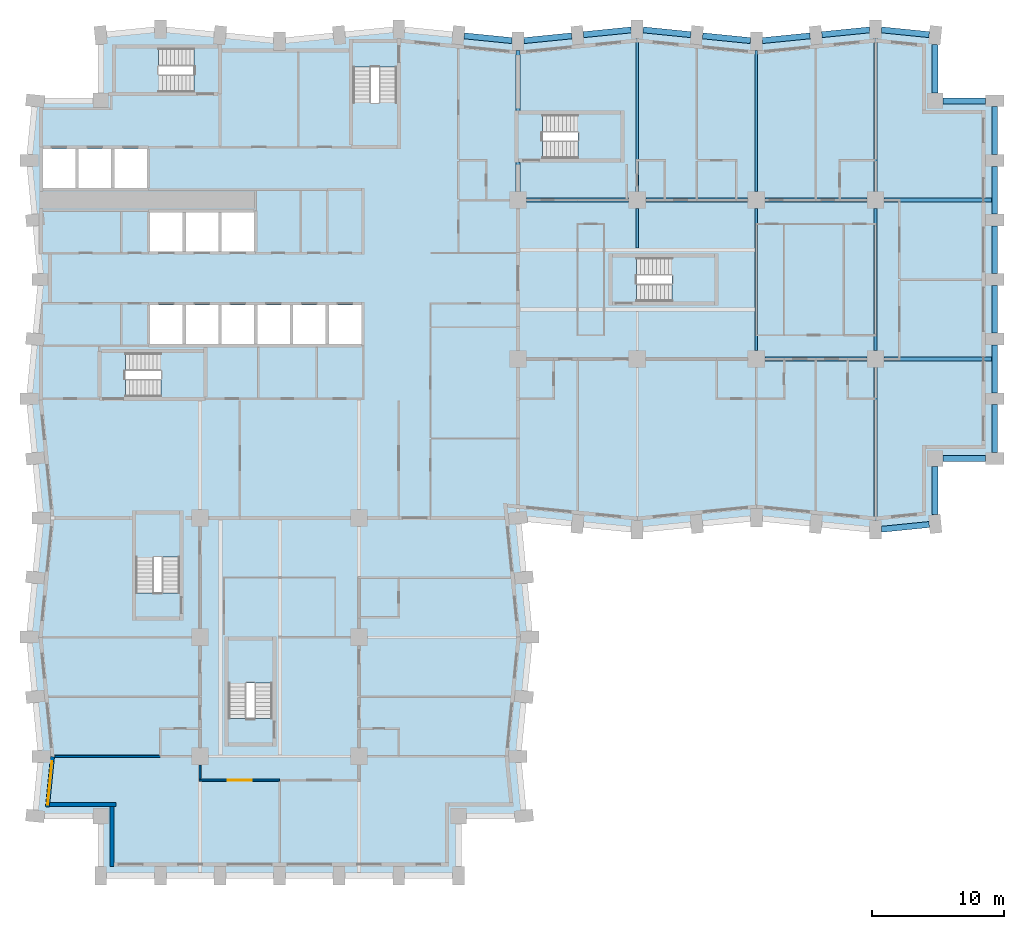
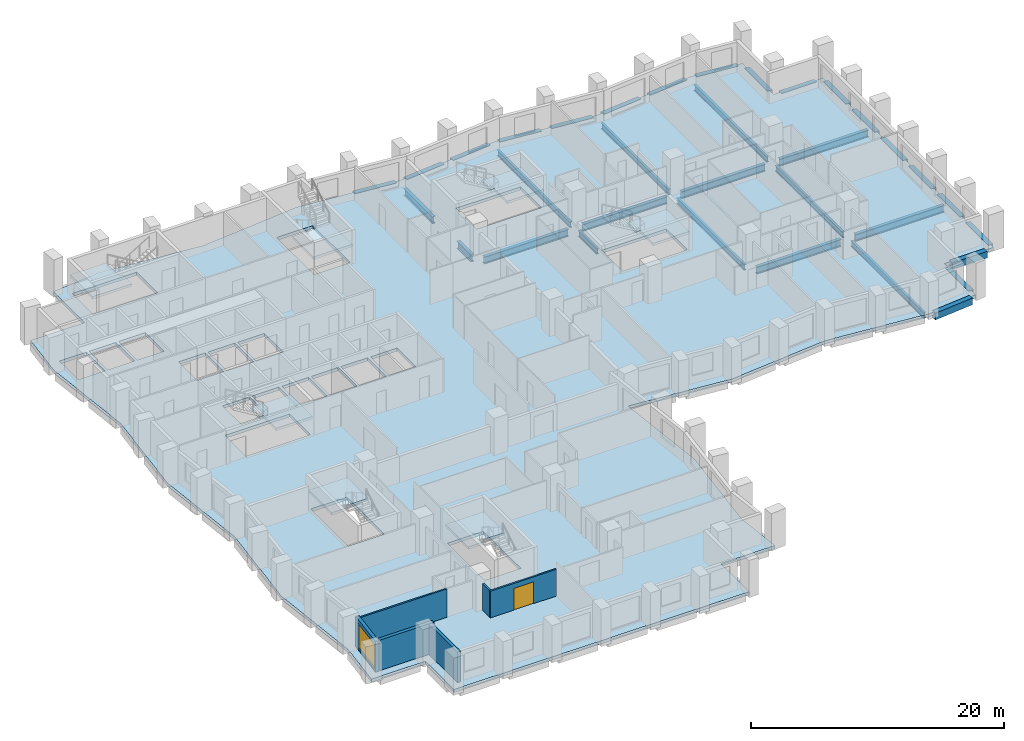
# One storey, part 2 of 12: 34 beams, 8 slabs, 6 walls, 1 door, 1 window, 2 openings, 7 elements without a shape of their own.
"""IFC4 building model written with IfcOpenShell, lengths in metres."""

from ifc_helpers import new_model, si_unit, direction, frame, frame_2d, origin, origin_2d, place, context, subcontext, project, spatial, polyline, rectangle, i_section, outline, extrude, material, layer, layer_set, material_profile, profile_set, type_object, element, fill, aggregate, save


model = new_model("IFC4")

# Units and contexts
model_context = context("Model", 3, precision=1e-05, world=origin(), true_north=direction((0.0, 1.0)))
body_context = subcontext(model_context, "Body", "Model", "MODEL_VIEW")
ifc_project = project(units=[si_unit("LENGTHUNIT", "METRE"), si_unit("AREAUNIT", "SQUARE_METRE"), si_unit("VOLUMEUNIT", "CUBIC_METRE"), si_unit("PLANEANGLEUNIT", "RADIAN"), si_unit("MASSUNIT", "GRAM", prefix="KILO")], contexts=[model_context])

# Site, building, storey
site_placement = place(None, origin())
site = spatial("IfcSite", under=ifc_project, at=site_placement, CompositionType="ELEMENT")
building_placement = place(site_placement, origin())
building = spatial("IfcBuilding", under=site, at=building_placement, Name="Brondeck Convention Tower", CompositionType="ELEMENT")
storey_placement = place(building_placement, frame((0.0, 0.0, 59.10009765625)))
storey = spatial("IfcBuildingStorey", under=building, at=storey_placement, Name="L12", CompositionType="ELEMENT", Elevation=59.10009765625)

# Beams
ifc_material_1 = material(Name="Steel S355", Category="steel")
ifc_material_profile_1 = material_profile(ifc_material_1, i_section(OverallWidth=0.2099609375, OverallDepth=0.550048828125, WebThickness=0.010986328125, FlangeThickness=0.01708984375, FilletRadius=0.02392578125, at=origin_2d()), Name="IPE 550")
ifc_profile_set_1 = profile_set([ifc_material_profile_1], Name="Steel S355")
beam_type_1 = type_object("IfcBeamType", Name="Floor beam IPE 550", PredefinedType="BEAM", material=ifc_profile_set_1)
beam_1_placement = place(storey_placement, frame((45.0, 51.64990234375, -0.5751953125), z_axis=(0.0, 1.0, 0.0), x_axis=(-1.0, 0.0, 0.0)))
element("IfcBeam", 1, at=beam_1_placement, inside=storey, type_object=beam_type_1, Name="STR-FB-L12-002", PredefinedType="BEAM", context=body_context, shape_type="SweptSolid", body=[
    extrude(i_section(OverallWidth=0.2099609375, OverallDepth=0.550048828125, WebThickness=0.010986328125, FlangeThickness=0.01708984375, FilletRadius=0.02392578125, at=origin_2d()), origin(), (0.0, 0.0, 1.0), 11.550048828125),
])
beam_2_placement = place(storey_placement, frame((54.0, 39.64990234375, -0.5751953125), z_axis=(0.0, 1.0, 0.0), x_axis=(-1.0, 0.0, 0.0)))
element("IfcBeam", 2, at=beam_2_placement, inside=storey, type_object=beam_type_1, Name="STR-FB-L12-004", PredefinedType="BEAM", context=body_context, shape_type="SweptSolid", body=[
    extrude(i_section(OverallWidth=0.2099609375, OverallDepth=0.550048828125, WebThickness=0.010986328125, FlangeThickness=0.01708984375, FilletRadius=0.02392578125, at=origin_2d()), origin(), (0.0, 0.0, 1.0), 10.7001953125),
])
beam_3_placement = place(storey_placement, frame((54.0, 51.64990234375, -0.5751953125), z_axis=(0.0, 1.0, 0.0), x_axis=(-1.0, 0.0, 0.0)))
element("IfcBeam", 3, at=beam_3_placement, inside=storey, type_object=beam_type_1, Name="STR-FB-L12-005", PredefinedType="BEAM", context=body_context, shape_type="SweptSolid", body=[
    extrude(i_section(OverallWidth=0.2099609375, OverallDepth=0.550048828125, WebThickness=0.010986328125, FlangeThickness=0.01708984375, FilletRadius=0.02392578125, at=origin_2d()), origin(), (0.0, 0.0, 1.0), 10.650146484375),
])
beam_4_placement = place(storey_placement, frame((63.0, 26.800048828125, -0.5751953125), z_axis=(0.0, 1.0, 0.0), x_axis=(-1.0, 0.0, 0.0)))
element("IfcBeam", 4, at=beam_4_placement, inside=storey, type_object=beam_type_1, Name="STR-FB-L12-006", PredefinedType="BEAM", context=body_context, shape_type="SweptSolid", body=[
    extrude(i_section(OverallWidth=0.2099609375, OverallDepth=0.550048828125, WebThickness=0.010986328125, FlangeThickness=0.01708984375, FilletRadius=0.02392578125, at=origin_2d()), origin(), (0.0, 0.0, 1.0), 11.550048828125),
])
beam_5_placement = place(storey_placement, frame((63.0, 39.64990234375, -0.5751953125), z_axis=(0.0, 1.0, 0.0), x_axis=(-1.0, 0.0, 0.0)))
element("IfcBeam", 5, at=beam_5_placement, inside=storey, type_object=beam_type_1, Name="STR-FB-L12-007", PredefinedType="BEAM", context=body_context, shape_type="SweptSolid", body=[
    extrude(i_section(OverallWidth=0.2099609375, OverallDepth=0.550048828125, WebThickness=0.010986328125, FlangeThickness=0.01708984375, FilletRadius=0.02392578125, at=origin_2d()), origin(), (0.0, 0.0, 1.0), 10.7001953125),
])
beam_6_placement = place(storey_placement, frame((63.0, 51.64990234375, -0.5751953125), z_axis=(0.0, 1.0, 0.0), x_axis=(-1.0, 0.0, 0.0)))
element("IfcBeam", 6, at=beam_6_placement, inside=storey, type_object=beam_type_1, Name="STR-FB-L12-008", PredefinedType="BEAM", context=body_context, shape_type="SweptSolid", body=[
    extrude(i_section(OverallWidth=0.2099609375, OverallDepth=0.550048828125, WebThickness=0.010986328125, FlangeThickness=0.01708984375, FilletRadius=0.02392578125, at=origin_2d()), origin(), (0.0, 0.0, 1.0), 11.550048828125),
])
beam_7_placement = place(storey_placement, frame((45.0, 47.39990234375, -0.5751953125), z_axis=(0.0, 1.0, 0.0), x_axis=(-1.0, 0.0, 0.0)))
element("IfcBeam", 7, at=beam_7_placement, inside=storey, type_object=beam_type_1, Name="STR-FB-L12-015", PredefinedType="BEAM", context=body_context, shape_type="SweptSolid", body=[
    extrude(i_section(OverallWidth=0.2099609375, OverallDepth=0.550048828125, WebThickness=0.010986328125, FlangeThickness=0.01708984375, FilletRadius=0.02392578125, at=origin_2d()), origin(), (0.0, 0.0, 1.0), 2.9501953125),
])
ifc_material_profile_2 = material_profile(ifc_material_1, i_section(OverallWidth=0.300048828125, OverallDepth=0.699951171875, WebThickness=0.01708984375, FlangeThickness=0.031982421875, FilletRadius=0.027099609375, at=origin_2d()), Name="HEB 700")
ifc_profile_set_2 = profile_set([ifc_material_profile_2], Name="Steel S355")
beam_type_2 = type_object("IfcBeamType", Name="Girder HEB 700", PredefinedType="BEAM", material=ifc_profile_set_2)
beam_8_placement = place(storey_placement, frame((54.64990234375, 39.0, -0.650146484375), z_axis=(1.0, 0.0, 0.0), x_axis=(0.0, 1.0, 0.0)))
element("IfcBeam", 8, at=beam_8_placement, inside=storey, type_object=beam_type_2, Name="STR-GR-L12-003", PredefinedType="BEAM", context=body_context, shape_type="SweptSolid", body=[
    extrude(i_section(OverallWidth=0.300048828125, OverallDepth=0.699951171875, WebThickness=0.01708984375, FlangeThickness=0.031982421875, FilletRadius=0.027099609375, at=origin_2d()), origin(), (0.0, 0.0, 1.0), 7.7001953125),
])
beam_9_placement = place(storey_placement, frame((63.64990234375, 39.0, -0.650146484375), z_axis=(1.0, 0.0, 0.0), x_axis=(0.0, 1.0, 0.0)))
element("IfcBeam", 9, at=beam_9_placement, inside=storey, type_object=beam_type_2, Name="STR-GR-L12-004", PredefinedType="BEAM", context=body_context, shape_type="SweptSolid", body=[
    extrude(i_section(OverallWidth=0.300048828125, OverallDepth=0.699951171875, WebThickness=0.01708984375, FlangeThickness=0.031982421875, FilletRadius=0.027099609375, at=origin_2d()), origin(), (0.0, 0.0, 1.0), 8.125),
])
for number, where, z_axis, x_axis, name in (
    (10, (36.64990234375, 51.0, -0.650146484375), (1.0, 0.0, 0.0), (0.0, 1.0, 0.0), "STR-GR-L12-005"),
    (11, (45.64990234375, 51.0, -0.650146484375), (1.0, 0.0, 0.0), (0.0, 1.0, 0.0), "STR-GR-L12-006"),
    (12, (54.64990234375, 51.0, -0.650146484375), (1.0, 0.0, 0.0), (0.0, 1.0, 0.0), "STR-GR-L12-007"),
):
    element("IfcBeam", number, at=place(storey_placement, frame(where, z_axis=z_axis, x_axis=x_axis)), inside=storey, type_object=beam_type_2, Name=name, PredefinedType="BEAM", context=body_context, shape_type="SweptSolid", body=[
        extrude(i_section(OverallWidth=0.300048828125, OverallDepth=0.699951171875, WebThickness=0.01708984375, FlangeThickness=0.031982421875, FilletRadius=0.027099609375, at=origin_2d()), origin(), (0.0, 0.0, 1.0), 7.7001953125),
    ])
beam_10_placement = place(storey_placement, frame((63.64990234375, 51.0, -0.650146484375), z_axis=(1.0, 0.0, 0.0), x_axis=(0.0, 1.0, 0.0)))
element("IfcBeam", 13, at=beam_10_placement, inside=storey, type_object=beam_type_2, Name="STR-GR-L12-008", PredefinedType="BEAM", context=body_context, shape_type="SweptSolid", body=[
    extrude(i_section(OverallWidth=0.300048828125, OverallDepth=0.699951171875, WebThickness=0.01708984375, FlangeThickness=0.031982421875, FilletRadius=0.027099609375, at=origin_2d()), origin(), (0.0, 0.0, 1.0), 8.125),
])
beam_11_placement = place(storey_placement, frame((36.0, 51.64990234375, -0.650146484375), z_axis=(0.0, 1.0, 0.0), x_axis=(-1.0, 0.0, 0.0)))
element("IfcBeam", 14, at=beam_11_placement, inside=storey, type_object=beam_type_2, Name="STR-GR-L12-011", PredefinedType="BEAM", context=body_context, shape_type="SweptSolid", body=[
    extrude(i_section(OverallWidth=0.300048828125, OverallDepth=0.699951171875, WebThickness=0.01708984375, FlangeThickness=0.031982421875, FilletRadius=0.027099609375, at=origin_2d()), origin(), (0.0, 0.0, 1.0), 2.22998046875),
])
beam_12_placement = place(storey_placement, frame((36.0, 57.719970703125, -0.650146484375), z_axis=(0.0, 1.0, 0.0), x_axis=(-1.0, 0.0, 0.0)))
element("IfcBeam", 15, at=beam_12_placement, inside=storey, type_object=beam_type_2, Name="STR-GR-L12-012", PredefinedType="BEAM", context=body_context, shape_type="SweptSolid", body=[
    extrude(i_section(OverallWidth=0.300048828125, OverallDepth=0.699951171875, WebThickness=0.01708984375, FlangeThickness=0.031982421875, FilletRadius=0.027099609375, at=origin_2d()), origin(), (0.0, 0.0, 1.0), 4.580078125),
])
ifc_material_2 = material(Name="Concrete C80/95", Category="concrete")
ifc_material_profile_3 = material_profile(ifc_material_2, rectangle(XDim=0.449951171875, YDim=0.64990234375, at=origin_2d()), Name="Precast spandrel 450x650 Concrete C80/95")
ifc_profile_set_3 = profile_set([ifc_material_profile_3], Name="Concrete C80/95")
beam_type_3 = type_object("IfcBeamType", Name="Precast spandrel 450x650 Concrete C80/95", PredefinedType="SPANDREL", material=ifc_profile_set_3)
beam_13_placement = place(storey_placement, frame((63.449951171875, 26.14501953125, -0.3251953125), z_axis=(0.995040528141, 0.099470334057, 0.0), x_axis=(-0.099470334057, 0.995040528141, 0.0)))
element("IfcBeam", 16, at=beam_13_placement, inside=storey, type_object=beam_type_3, Name="STR-SP-L12-020", PredefinedType="SPANDREL", context=body_context, shape_type="SweptSolid", body=[
    extrude(rectangle(XDim=0.449951171875, YDim=0.64990234375, at=origin_2d()), origin(), (0.0, 0.0, 1.0), 3.620361328125),
])
beam_14_placement = place(storey_placement, frame((67.5, 27.25341796875, -0.3251953125), z_axis=(0.0, 1.0, 0.0), x_axis=(-1.0, 0.0, 0.0)))
element("IfcBeam", 17, at=beam_14_placement, inside=storey, type_object=beam_type_3, Name="STR-SP-L12-021", PredefinedType="SPANDREL", context=body_context, shape_type="SweptSolid", body=[
    extrude(rectangle(XDim=0.449951171875, YDim=0.64990234375, at=origin_2d()), origin(), (0.0, 0.0, 1.0), 3.646484375),
])
beam_15_placement = place(storey_placement, frame((68.10009765625, 31.5, -0.3251953125), z_axis=(1.0, 0.0, 0.0), x_axis=(0.0, 1.0, 0.0)))
element("IfcBeam", 18, at=beam_15_placement, inside=storey, type_object=beam_type_3, Name="STR-SP-L12-022", PredefinedType="SPANDREL", context=body_context, shape_type="SweptSolid", body=[
    extrude(rectangle(XDim=0.449951171875, YDim=0.64990234375, at=origin_2d()), origin(), (0.0, 0.0, 1.0), 3.199951171875),
])
for number, where, z_axis, x_axis, name in (
    (19, (72.0, 31.949951171875, -0.3251953125), (0.0, 1.0, 0.0), (-1.0, 0.0, 0.0), "STR-SP-L12-023"),
    (20, (72.0, 36.449951171875, -0.3251953125), (0.0, 1.0, 0.0), (-1.0, 0.0, 0.0), "STR-SP-L12-024"),
    (21, (72.0, 40.949951171875, -0.3251953125), (0.0, 1.0, 0.0), (-1.0, 0.0, 0.0), "STR-SP-L12-025"),
    (22, (72.0, 45.449951171875, -0.3251953125), (0.0, 1.0, 0.0), (-1.0, 0.0, 0.0), "STR-SP-L12-026"),
    (23, (72.0, 49.949951171875, -0.3251953125), (0.0, 1.0, 0.0), (-1.0, 0.0, 0.0), "STR-SP-L12-027"),
    (24, (72.0, 54.449951171875, -0.3251953125), (0.0, 1.0, 0.0), (-1.0, 0.0, 0.0), "STR-SP-L12-028"),
):
    element("IfcBeam", number, at=place(storey_placement, frame(where, z_axis=z_axis, x_axis=x_axis)), inside=storey, type_object=beam_type_3, Name=name, PredefinedType="SPANDREL", context=body_context, shape_type="SweptSolid", body=[
        extrude(rectangle(XDim=0.449951171875, YDim=0.64990234375, at=origin_2d()), origin(), (0.0, 0.0, 1.0), 3.60009765625),
    ])
beam_16_placement = place(storey_placement, frame((71.300048828125, 58.5, -0.3251953125), z_axis=(-1.0, 0.0, 0.0), x_axis=(0.0, -1.0, 0.0)))
element("IfcBeam", 25, at=beam_16_placement, inside=storey, type_object=beam_type_3, Name="STR-SP-L12-029", PredefinedType="SPANDREL", context=body_context, shape_type="SweptSolid", body=[
    extrude(rectangle(XDim=0.449951171875, YDim=0.64990234375, at=origin_2d()), origin(), (0.0, 0.0, 1.0), 3.199951171875),
])
beam_17_placement = place(storey_placement, frame((67.5, 59.10009765625, -0.3251953125), z_axis=(0.0, 1.0, 0.0), x_axis=(-1.0, 0.0, 0.0)))
element("IfcBeam", 26, at=beam_17_placement, inside=storey, type_object=beam_type_3, Name="STR-SP-L12-030", PredefinedType="SPANDREL", context=body_context, shape_type="SweptSolid", body=[
    extrude(rectangle(XDim=0.449951171875, YDim=0.64990234375, at=origin_2d()), origin(), (0.0, 0.0, 1.0), 3.646484375),
])
for number, where, z_axis, x_axis, name in (
    (27, (67.05224609375, 63.494873046875, -0.3251953125), (-0.995040528141, 0.099470334057, 0.0), (-0.099470334057, -0.995040528141, 0.0), "STR-SP-L12-031"),
    (28, (62.550048828125, 63.85498046875, -0.3251953125), (-0.995040528141, -0.099470334057, 0.0), (0.099470334057, -0.995040528141, 0.0), "STR-SP-L12-032"),
    (29, (58.05224609375, 63.4052734375, -0.3251953125), (-0.995033851182, -0.099537103649, 0.0), (0.099537103649, -0.995033851182, 0.0), "STR-SP-L12-033"),
    (30, (53.550048828125, 63.044921875, -0.3251953125), (-0.995033851182, 0.099537103649, 0.0), (-0.099537103649, -0.995033851182, 0.0), "STR-SP-L12-034"),
    (31, (49.05224609375, 63.494873046875, -0.3251953125), (-0.995040528141, 0.099470334057, 0.0), (-0.099470334057, -0.995040528141, 0.0), "STR-SP-L12-035"),
    (32, (44.550048828125, 63.85498046875, -0.3251953125), (-0.995040528141, -0.099470334057, 0.0), (0.099470334057, -0.995040528141, 0.0), "STR-SP-L12-036"),
    (33, (40.05224609375, 63.4052734375, -0.3251953125), (-0.995033851182, -0.099537103649, 0.0), (0.099537103649, -0.995033851182, 0.0), "STR-SP-L12-037"),
    (34, (35.550048828125, 63.044921875, -0.3251953125), (-0.995033851182, 0.099537103649, 0.0), (-0.099537103649, -0.995033851182, 0.0), "STR-SP-L12-038"),
):
    element("IfcBeam", number, at=place(storey_placement, frame(where, z_axis=z_axis, x_axis=x_axis)), inside=storey, type_object=beam_type_3, Name=name, PredefinedType="SPANDREL", context=body_context, shape_type="SweptSolid", body=[
        extrude(rectangle(XDim=0.449951171875, YDim=0.64990234375, at=origin_2d()), origin(), (0.0, 0.0, 1.0), 3.620361328125),
    ])

# Slab
ifc_material_3 = material(Name="Concrete C35/45", Category="concrete")
ifc_layer_1 = layer(ifc_material_3, 0.300048828125)
ifc_layer_set_1 = layer_set([ifc_layer_1], Name="Composite floor slab 300")
slab_type_1 = type_object("IfcSlabType", Name="Composite floor slab 300", PredefinedType="FLOOR", material=ifc_layer_set_1)
slab_1_placement = place(storey_placement, frame((0.0, 0.0, -0.300048828125)))
element("IfcSlab", 35, at=slab_1_placement, inside=storey, type_object=slab_type_1, Name="STR-SL-L12", PredefinedType="FLOOR", context=body_context, shape_type="SweptSolid", body=[
    extrude(outline(polyline([(4.5, 4.5), (-0.449951171875, 4.5), (0.0, 9.0), (-0.89990234375, 18.0), (0.0, 27.0), (-0.89990234375, 36.0), (0.0, 45.0), (-0.89990234375, 54.0), (-0.449951171875, 58.5), (4.5, 58.5), (4.5, 63.449951171875), (9.0, 63.89990234375), (18.0, 63.0), (27.0, 63.89990234375), (36.0, 63.0), (45.0, 63.89990234375), (54.0, 63.0), (63.0, 63.89990234375), (67.5, 63.449951171875), (67.5, 58.5), (72.0, 58.5), (72.0, 31.5), (67.5, 31.5), (67.5, 26.550048828125), (63.0, 26.10009765625), (54.0, 27.0), (45.0, 26.10009765625), (36.0, 27.0), (36.89990234375, 18.0), (36.0, 9.0), (36.449951171875, 4.5), (31.5, 4.5), (31.5, 0.0), (4.5, 0.0), (4.5, 4.5)]), holes=[polyline([(10.447998046875, 27.248046875), (7.152099609375, 27.248046875), (7.152099609375, 21.35205078125), (10.447998046875, 21.35205078125), (10.447998046875, 27.248046875)]), polyline([(12.248046875, 36.152099609375), (12.248046875, 39.447998046875), (6.35205078125, 39.447998046875), (6.35205078125, 36.152099609375), (12.248046875, 36.152099609375)]), polyline([(10.675048828125, 40.125), (10.675048828125, 43.074951171875), (8.22509765625, 43.074951171875), (8.22509765625, 40.125), (10.675048828125, 40.125)]), polyline([(13.375, 40.125), (13.375, 43.074951171875), (10.925048828125, 43.074951171875), (10.925048828125, 40.125), (13.375, 40.125)]), polyline([(10.675048828125, 47.125), (10.675048828125, 50.074951171875), (8.22509765625, 50.074951171875), (8.22509765625, 47.125), (10.675048828125, 47.125)]), polyline([(13.375, 47.125), (13.375, 50.074951171875), (10.925048828125, 50.074951171875), (10.925048828125, 47.125), (13.375, 47.125)]), polyline([(2.574951171875, 51.925048828125), (2.574951171875, 54.875), (0.125, 54.875), (0.125, 51.925048828125), (2.574951171875, 51.925048828125)]), polyline([(2.824951171875, 51.925048828125), (5.27490234375, 51.925048828125), (5.27490234375, 54.875), (2.824951171875, 54.875), (2.824951171875, 51.925048828125)]), polyline([(5.52490234375, 51.925048828125), (7.97509765625, 51.925048828125), (7.97509765625, 54.875), (5.52490234375, 54.875), (5.52490234375, 51.925048828125)]), polyline([(5.652099609375, 62.447998046875), (5.652099609375, 59.152099609375), (11.548095703125, 59.152099609375), (11.548095703125, 62.447998046875), (5.652099609375, 62.447998046875)]), polyline([(17.447998046875, 17.748046875), (14.152099609375, 17.748046875), (14.152099609375, 11.85205078125), (17.447998046875, 11.85205078125), (17.447998046875, 17.748046875)]), polyline([(16.074951171875, 40.125), (16.074951171875, 43.074951171875), (13.625, 43.074951171875), (13.625, 40.125), (16.074951171875, 40.125)]), polyline([(16.324951171875, 40.125), (18.77490234375, 40.125), (18.77490234375, 43.074951171875), (16.324951171875, 43.074951171875), (16.324951171875, 40.125)]), polyline([(19.02490234375, 40.125), (21.47509765625, 40.125), (21.47509765625, 43.074951171875), (19.02490234375, 43.074951171875), (19.02490234375, 40.125)]), polyline([(24.175048828125, 40.125), (24.175048828125, 43.074951171875), (21.72509765625, 43.074951171875), (21.72509765625, 40.125), (24.175048828125, 40.125)]), polyline([(50.847900390625, 43.35205078125), (50.847900390625, 46.64794921875), (44.951904296875, 46.64794921875), (44.951904296875, 43.35205078125), (50.847900390625, 43.35205078125)]), polyline([(16.074951171875, 47.125), (16.074951171875, 50.074951171875), (13.625, 50.074951171875), (13.625, 47.125), (16.074951171875, 47.125)]), polyline([(37.85205078125, 54.152099609375), (43.748046875, 54.152099609375), (43.748046875, 57.447998046875), (37.85205078125, 57.447998046875), (37.85205078125, 54.152099609375)]), polyline([(23.552001953125, 61.048095703125), (23.552001953125, 55.152099609375), (26.847900390625, 55.152099609375), (26.847900390625, 61.048095703125), (23.552001953125, 61.048095703125)])]), origin(), (0.0, 0.0, 1.0), 0.300048828125),
])

# Stair, slab
ifc_material_4 = material(Name="Precast concrete C50/60", Category="concrete")
stair_type = type_object("IfcStairType", Name="Core stair 20 risers 180.00 mm riser 300 mm going 1350 wide", PredefinedType="HALF_TURN_STAIR", material=ifc_material_4)
stair_1_placement = place(storey_placement, origin())
stair_1 = element("IfcStair", 36, at=stair_1_placement, inside=storey, type_object=stair_type, Name="ST-1 L12 stair", PredefinedType="HALF_TURN_STAIR")
ifc_layer_2 = layer(ifc_material_4, 0.25)
ifc_layer_set_2 = layer_set([ifc_layer_2], Name="Core stair landing 250 Precast concrete C50/60")
slab_type_2 = type_object("IfcSlabType", Name="Core stair landing 250 Precast concrete C50/60", PredefinedType="LANDING", material=ifc_layer_set_2)
slab_2_placement = place(storey_placement, frame((0.0, 0.0, 1.5498046875)))
slab_2 = element("IfcSlab", 37, at=slab_2_placement, type_object=slab_type_2, Name="ST-1 landing 1", PredefinedType="LANDING", context=body_context, shape_type="SweptSolid", body=[
    extrude(outline(polyline([(9.048095703125, 37.5), (9.050048828125, 37.5), (9.050048828125, 38.10009765625), (8.75, 38.10009765625), (8.75, 39.570068359375), (12.3701171875, 39.570068359375), (12.3701171875, 36.030029296875), (9.048095703125, 36.030029296875), (9.048095703125, 37.5)])), origin(), (0.0, 0.0, 1.0), 0.25),
])
aggregate(stair_1, [slab_2])

stair_2_placement = place(storey_placement, origin())
stair_2 = element("IfcStair", 38, at=stair_2_placement, inside=storey, type_object=stair_type, Name="ST-2 L12 stair", PredefinedType="HALF_TURN_STAIR")
slab_3_placement = place(storey_placement, frame((0.0, 0.0, 1.5498046875)))
slab_3 = element("IfcSlab", 39, at=slab_3_placement, type_object=slab_type_2, Name="ST-2 landing 1", PredefinedType="LANDING", context=body_context, shape_type="SweptSolid", body=[
    extrude(outline(polyline([(23.429931640625, 58.35205078125), (24.89990234375, 58.35205078125), (24.89990234375, 58.35009765625), (25.5, 58.35009765625), (25.5, 58.64990234375), (26.969970703125, 58.64990234375), (26.969970703125, 55.030029296875), (23.429931640625, 55.030029296875), (23.429931640625, 58.35205078125)])), origin(), (0.0, 0.0, 1.0), 0.25),
])
aggregate(stair_2, [slab_3])

stair_3_placement = place(storey_placement, origin())
stair_3 = element("IfcStair", 40, at=stair_3_placement, inside=storey, type_object=stair_type, Name="ST-3 L12 stair", PredefinedType="HALF_TURN_STAIR")
slab_4_placement = place(storey_placement, frame((0.0, 0.0, 1.5498046875)))
slab_4 = element("IfcSlab", 41, at=slab_4_placement, type_object=slab_type_2, Name="ST-3 landing 1", PredefinedType="LANDING", context=body_context, shape_type="SweptSolid", body=[
    extrude(outline(polyline([(9.14990234375, 60.5), (9.14990234375, 59.030029296875), (5.530029296875, 59.030029296875), (5.530029296875, 62.570068359375), (8.85205078125, 62.570068359375), (8.85205078125, 61.10009765625), (8.85009765625, 61.10009765625), (8.85009765625, 60.5), (9.14990234375, 60.5)])), origin(), (0.0, 0.0, 1.0), 0.25),
])
aggregate(stair_3, [slab_4])

stair_4_placement = place(storey_placement, origin())
stair_4 = element("IfcStair", 42, at=stair_4_placement, inside=storey, type_object=stair_type, Name="ST-AE L12 stair", PredefinedType="HALF_TURN_STAIR")
slab_5_placement = place(storey_placement, frame((0.0, 0.0, 1.5498046875)))
slab_5 = element("IfcSlab", 43, at=slab_5_placement, type_object=slab_type_2, Name="ST-AE landing 1", PredefinedType="LANDING", context=body_context, shape_type="SweptSolid", body=[
    extrude(outline(polyline([(40.548095703125, 55.5), (40.550048828125, 55.5), (40.550048828125, 56.10009765625), (40.25, 56.10009765625), (40.25, 57.570068359375), (43.8701171875, 57.570068359375), (43.8701171875, 54.030029296875), (40.548095703125, 54.030029296875), (40.548095703125, 55.5)])), origin(), (0.0, 0.0, 1.0), 0.25),
])
aggregate(stair_4, [slab_5])

stair_5_placement = place(storey_placement, origin())
stair_5 = element("IfcStair", 44, at=stair_5_placement, inside=storey, type_object=stair_type, Name="ST-BE L12 stair", PredefinedType="HALF_TURN_STAIR")
slab_6_placement = place(storey_placement, frame((0.0, 0.0, 1.5498046875)))
slab_6 = element("IfcSlab", 45, at=slab_6_placement, type_object=slab_type_2, Name="ST-BE landing 1", PredefinedType="LANDING", context=body_context, shape_type="SweptSolid", body=[
    extrude(outline(polyline([(7.030029296875, 23.75), (7.030029296875, 27.3701171875), (10.570068359375, 27.3701171875), (10.570068359375, 24.048095703125), (9.10009765625, 24.048095703125), (9.10009765625, 24.050048828125), (8.5, 24.050048828125), (8.5, 23.75), (7.030029296875, 23.75)])), origin(), (0.0, 0.0, 1.0), 0.25),
])
aggregate(stair_5, [slab_6])

stair_6_placement = place(storey_placement, origin())
stair_6 = element("IfcStair", 46, at=stair_6_placement, inside=storey, type_object=stair_type, Name="ST-AF L12 stair", PredefinedType="HALF_TURN_STAIR")
slab_7_placement = place(storey_placement, frame((0.0, 0.0, 1.5498046875)))
slab_7 = element("IfcSlab", 47, at=slab_7_placement, type_object=slab_type_2, Name="ST-AF landing 1", PredefinedType="LANDING", context=body_context, shape_type="SweptSolid", body=[
    extrude(outline(polyline([(47.64794921875, 44.699951171875), (47.64990234375, 44.699951171875), (47.64990234375, 45.300048828125), (47.35009765625, 45.300048828125), (47.35009765625, 46.77001953125), (50.969970703125, 46.77001953125), (50.969970703125, 43.22998046875), (47.64794921875, 43.22998046875), (47.64794921875, 44.699951171875)])), origin(), (0.0, 0.0, 1.0), 0.25),
])
aggregate(stair_6, [slab_7])

stair_7_placement = place(storey_placement, origin())
stair_7 = element("IfcStair", 48, at=stair_7_placement, inside=storey, type_object=stair_type, Name="ST-BF L12 stair", PredefinedType="HALF_TURN_STAIR")
slab_8_placement = place(storey_placement, frame((0.0, 0.0, 1.5498046875)))
slab_8 = element("IfcSlab", 49, at=slab_8_placement, type_object=slab_type_2, Name="ST-BF landing 1", PredefinedType="LANDING", context=body_context, shape_type="SweptSolid", body=[
    extrude(outline(polyline([(14.030029296875, 14.25), (14.030029296875, 17.8701171875), (17.570068359375, 17.8701171875), (17.570068359375, 14.548095703125), (16.10009765625, 14.548095703125), (16.10009765625, 14.550048828125), (15.5, 14.550048828125), (15.5, 14.25), (14.030029296875, 14.25)])), origin(), (0.0, 0.0, 1.0), 0.25),
])
aggregate(stair_7, [slab_8])

# Wall, opening, window
ifc_material_5 = material(Name="Precast concrete C50/60 bronze finish", Category="concrete")
ifc_layer_3 = layer(ifc_material_5, 0.070068359375, Name="Bronze precast facing")
ifc_material_6 = material(Name="Mineral wool")
ifc_layer_4 = layer(ifc_material_6, 0.159912109375, Name="Insulation")
ifc_layer_5 = layer(ifc_material_3, 0.070068359375, Name="Backing")
ifc_layer_set_3 = layer_set([ifc_layer_3, ifc_layer_4, ifc_layer_5], Name="External infill wall, precast concrete C50/60 bronze facing")
wall_type_1 = type_object("IfcWallType", Name="External infill wall, precast concrete C50/60 bronze facing", PredefinedType="SOLIDWALL", material=ifc_layer_set_3)
wall_1_placement = place(storey_placement, frame((0.47265625, 5.18505859375, 0.0), z_axis=(0.0, 0.0, 1.0), x_axis=(0.099541845169, 0.995033376857, 0.0)))
wall_1 = element("IfcWall", 50, at=wall_1_placement, inside=storey, type_object=wall_type_1, Name="ENV-EW-L12-P0-B-W-12", PredefinedType="SOLIDWALL", context=body_context, shape_type="SweptSolid", body=[
    extrude(rectangle(XDim=3.803955078125, YDim=0.300048828125, at=frame_2d((1.90185546875, 0.0))), origin(), (0.0, 0.0, 1.0), 2.949951171875),
])
opening_1_placement = place(wall_1_placement, frame((0.14990234375, 0.0, 0.14990234375)))
opening_1 = element("IfcOpeningElement", 51, at=opening_1_placement, cuts=wall_1, Name="Opening W9", PredefinedType="OPENING", context=body_context, shape_type="SweptSolid", body=[
    extrude(rectangle(XDim=3.300048828125, YDim=2.39990234375, at=frame_2d((1.64990234375, 1.199951171875))), frame((0.0, 0.159912109375, 0.0), z_axis=(0.0, -1.0, 0.0), x_axis=(1.0, 0.0, 0.0)), (0.0, 0.0, 1.0), 0.320068359375),
])
ifc_material_7 = material(Name="Bronze tinted double glazing", Category="glass")
window_type = type_object("IfcWindowType", Name="Glazed flute window, bronze tinted", PartitioningType="SINGLE_PANEL", PredefinedType="WINDOW", material=ifc_material_7)
window_placement = place(opening_1_placement, origin())
window = element("IfcWindow", 52, at=window_placement, inside=storey, type_object=window_type, Name="ENV-WN-L12-P0-B-W-12", OverallHeight=2.39990234375, OverallWidth=3.300048828125, PartitioningType="SINGLE_PANEL", PredefinedType="WINDOW", context=body_context, shape_type="SweptSolid", body=[
    extrude(rectangle(XDim=3.300048828125, YDim=2.39990234375, at=frame_2d((1.64990234375, 1.199951171875))), frame((0.0, 0.030029296875, 0.0), z_axis=(0.0, -1.0, 0.0), x_axis=(1.0, 0.0, 0.0)), (0.0, 0.0, 1.0), 0.06005859375),
])
fill(opening_1, window)

# Walls
wall_2_placement = place(storey_placement, frame((5.64990234375, 5.35009765625, 0.0), z_axis=(0.0, 0.0, 1.0), x_axis=(-1.0, 0.0, 0.0)))
element("IfcWall", 53, at=wall_2_placement, inside=storey, type_object=wall_type_1, Name="ENV-EW-L12-P0-NC-SWB0-01", PredefinedType="SOLIDWALL", context=body_context, shape_type="SweptSolid", body=[
    extrude(rectangle(XDim=5.004638671875, YDim=0.300048828125, at=frame_2d((2.50244140625, 0.0))), origin(), (0.0, 0.0, 1.0), 2.949951171875),
])
wall_3_placement = place(storey_placement, frame((5.35009765625, 0.699951171875, 0.0), z_axis=(0.0, 0.0, 1.0), x_axis=(0.0, 1.0, 0.0)))
element("IfcWall", 54, at=wall_3_placement, inside=storey, type_object=wall_type_1, Name="ENV-EW-L12-P0-NC-SWB0-02", PredefinedType="SOLIDWALL", context=body_context, shape_type="SweptSolid", body=[
    extrude(rectangle(XDim=4.5, YDim=0.300048828125, at=frame_2d((2.25, 0.0))), origin(), (0.0, 0.0, 1.0), 2.949951171875),
])

# Wall, opening, door
ifc_material_8 = material(Name="Double gypsum board acoustic wall")
ifc_layer_6 = layer(ifc_material_8, 0.14990234375)
ifc_layer_set_4 = layer_set([ifc_layer_6], Name="Guest room party wall 150")
wall_type_2 = type_object("IfcWallType", Name="Guest room party wall 150", PredefinedType="PARTITIONING", material=ifc_layer_set_4)
wall_4_placement = place(storey_placement, frame((18.0, 7.199951171875, 0.0), z_axis=(0.0, 0.0, 1.0), x_axis=(-1.0, 0.0, 0.0)))
wall_4 = element("IfcWall", 55, at=wall_4_placement, inside=storey, type_object=wall_type_2, Name="FLR-L12-W002", PredefinedType="PARTITIONING", context=body_context, shape_type="SweptSolid", body=[
    extrude(rectangle(XDim=6.074951171875, YDim=0.14990234375, at=frame_2d((3.03759765625, 0.0))), origin(), (0.0, 0.0, 1.0), 2.579833984375),
])
opening_2_placement = place(wall_4_placement, frame((2.10009765625, 0.0, 0.0)))
opening_2 = element("IfcOpeningElement", 56, at=opening_2_placement, cuts=wall_4, Name="Opening H3-031", PredefinedType="OPENING", context=body_context, shape_type="SweptSolid", body=[
    extrude(rectangle(XDim=1.800048828125, YDim=2.10009765625, at=frame_2d((0.89990234375, 1.050048828125))), frame((0.0, 0.0849609375, 0.0), z_axis=(0.0, -1.0, 0.0), x_axis=(1.0, 0.0, 0.0)), (0.0, 0.0, 1.0), 0.169921875),
])
ifc_material_9 = material(Name="Glazed timber double door", Category="wood")
door_type = type_object("IfcDoorType", Name="Double door 1800", OperationType="DOUBLE_DOOR_SINGLE_SWING", PredefinedType="DOOR", material=ifc_material_9)
door_placement = place(opening_2_placement, origin())
door = element("IfcDoor", 57, at=door_placement, inside=storey, type_object=door_type, Name="Door H3-031", OperationType="DOUBLE_DOOR_SINGLE_SWING", OverallHeight=2.10009765625, OverallWidth=1.800048828125, PredefinedType="DOOR", context=body_context, shape_type="SweptSolid", body=[
    extrude(rectangle(XDim=1.800048828125, YDim=2.10009765625, at=frame_2d((0.89990234375, 1.050048828125))), frame((0.0, 0.02490234375, 0.0), z_axis=(0.0, -1.0, 0.0), x_axis=(1.0, 0.0, 0.0)), (0.0, 0.0, 1.0), 0.050048828125),
])
fill(opening_2, door)

# Walls
wall_5_placement = place(storey_placement, frame((12.0, 7.27490234375, 0.0), z_axis=(0.0, 0.0, 1.0), x_axis=(0.0, 1.0, 0.0)))
element("IfcWall", 58, at=wall_5_placement, inside=storey, type_object=wall_type_2, Name="FLR-L12-W004", PredefinedType="PARTITIONING", context=body_context, shape_type="SweptSolid", body=[
    extrude(rectangle(XDim=1.070068359375, YDim=0.14990234375, at=frame_2d((0.53515625, 0.0))), origin(), (0.0, 0.0, 1.0), 2.579833984375),
])
wall_6_placement = place(storey_placement, frame((9.0, 9.0, 0.0), z_axis=(0.0, 0.0, 1.0), x_axis=(-1.0, 0.0, 0.0)))
element("IfcWall", 59, at=wall_6_placement, inside=storey, type_object=wall_type_2, Name="FLR-L12-W006", PredefinedType="PARTITIONING", context=body_context, shape_type="SweptSolid", body=[
    extrude(rectangle(XDim=7.97509765625, YDim=0.14990234375, at=frame_2d((3.987548828125, 0.0))), origin(), (0.0, 0.0, 1.0), 2.72998046875),
])

save(model, "model.ifc")
